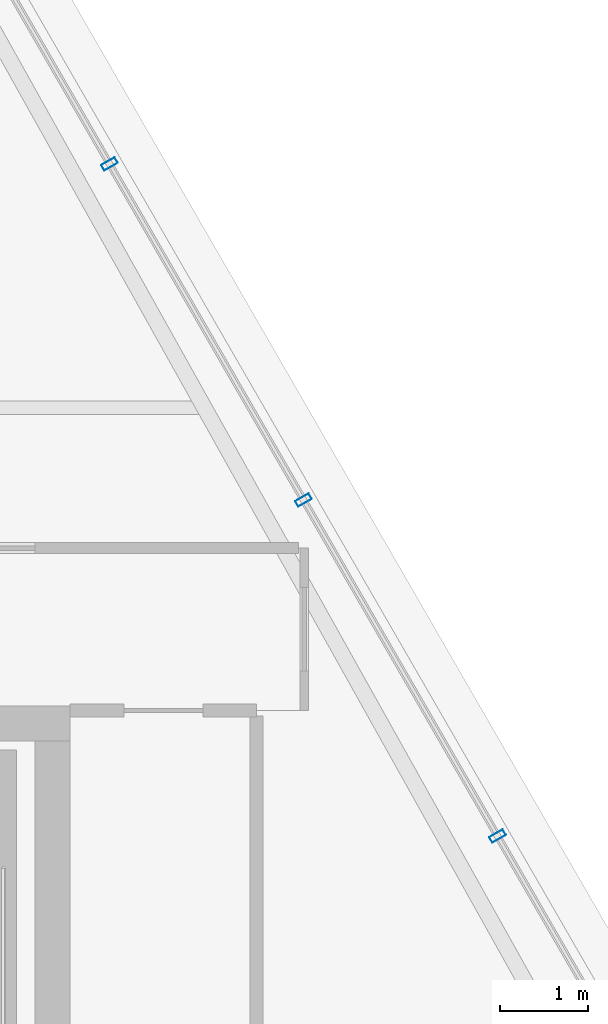
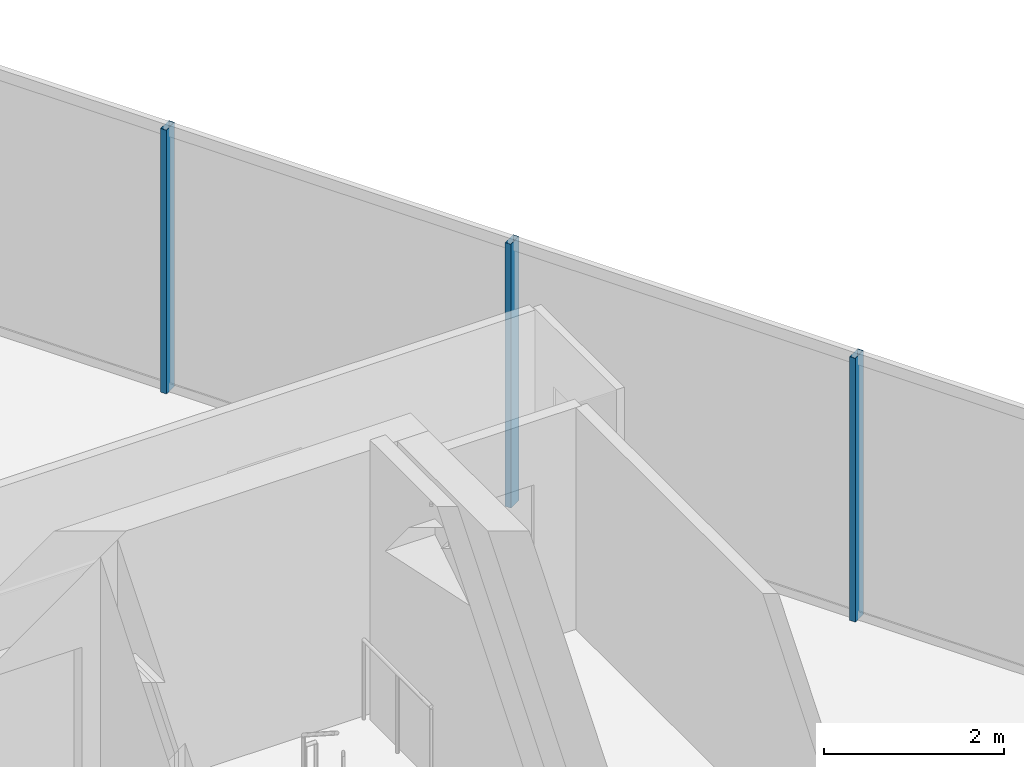
# One storey, part 24 of 34: 3 members, 1 element without a shape of its own.
"""IFC4 building model written with IfcOpenShell, lengths in metres."""

from ifc_helpers import new_model, si_unit, direction, frame, origin, origin_2d, place, context, subcontext, project, spatial, hollow_rectangle, extrude, material, layer, layer_set, material_profile, profile_set, type_object, element, aggregate, save


model = new_model("IFC4")

# Units and contexts
model_context = context("Model", 3, precision=1e-05, world=origin(), true_north=direction((0.0, 1.0)))
body_context = subcontext(model_context, "Body", "Model", "MODEL_VIEW")
ifc_project = project(units=[si_unit("LENGTHUNIT", "METRE"), si_unit("AREAUNIT", "SQUARE_METRE"), si_unit("VOLUMEUNIT", "CUBIC_METRE"), si_unit("PLANEANGLEUNIT", "RADIAN"), si_unit("MASSUNIT", "GRAM", prefix="KILO")], contexts=[model_context])

# Site, building, storey
site_placement = place(None, origin())
site = spatial("IfcSite", under=ifc_project, at=site_placement, CompositionType="ELEMENT")
building_placement = place(site_placement, origin())
building = spatial("IfcBuilding", under=site, at=building_placement, Name="Ndaravel Arena Tower", CompositionType="ELEMENT")
storey_placement = place(building_placement, frame((0.0, 0.0, 263.60009765625)))
storey = spatial("IfcBuildingStorey", under=building, at=storey_placement, Name="L64", CompositionType="ELEMENT", Elevation=263.60009765625)

# Curtain wall, members
ifc_material_1 = material(Name="Aluminium", Category="aluminium")
ifc_layer = layer(ifc_material_1, 0.179931640625)
ifc_layer_set = layer_set([ifc_layer], Name="Aluminium")
curtain_wall_type = type_object("IfcCurtainWallType", Name="CW-SYS-03", PredefinedType="NOTDEFINED", material=ifc_layer_set)
curtain_wall_placement = place(storey_placement, origin())
curtain_wall = element("IfcCurtainWall", 1, at=curtain_wall_placement, inside=storey, type_object=curtain_wall_type, Name="L64 Faceted Crystal Curtain Wall CW-L64-E03", PredefinedType="NOTDEFINED")
ifc_material_2 = material(Name="Aluminium", Category="aluminium")
ifc_material_profile = material_profile(ifc_material_2, hollow_rectangle(XDim=0.074951171875, YDim=0.179931640625, WallThickness=0.00390625, at=origin_2d()), Name="CW MULLION 75x180x4")
ifc_profile_set = profile_set([ifc_material_profile], Name="Aluminium")
member_type = type_object("IfcMemberType", Name="MEM-CW-MUL180", PredefinedType="MULLION", material=ifc_profile_set)
member_1_placement = place(storey_placement, frame((62.419921875, 13.71875, 0.0), z_axis=(0.0, 0.0, 1.0), x_axis=(-0.5, 0.866025403784, 0.0)))
member_1 = element("IfcMember", 2, at=member_1_placement, type_object=member_type, Name="CW-L64-E03 Mullion 01", PredefinedType="MULLION", context=body_context, shape_type="SweptSolid", body=[
    extrude(hollow_rectangle(XDim=0.074951171875, YDim=0.179931640625, WallThickness=0.00390625, at=origin_2d()), origin(), (0.0, 0.0, 1.0), 3.579833984375),
])
member_2_placement = place(storey_placement, frame((60.208740234375, 17.548583984375, 0.0), z_axis=(0.0, 0.0, 1.0), x_axis=(-0.5, 0.866025403784, 0.0)))
member_2 = element("IfcMember", 3, at=member_2_placement, type_object=member_type, Name="CW-L64-E03 Mullion 02", PredefinedType="MULLION", context=body_context, shape_type="SweptSolid", body=[
    extrude(hollow_rectangle(XDim=0.074951171875, YDim=0.179931640625, WallThickness=0.00390625, at=origin_2d()), origin(), (0.0, 0.0, 1.0), 3.579833984375),
])
member_3_placement = place(storey_placement, frame((57.99755859375, 21.378662109375, 0.0), z_axis=(0.0, 0.0, 1.0), x_axis=(-0.5, 0.866025403784, 0.0)))
member_3 = element("IfcMember", 4, at=member_3_placement, type_object=member_type, Name="CW-L64-E03 Mullion 03", PredefinedType="MULLION", context=body_context, shape_type="SweptSolid", body=[
    extrude(hollow_rectangle(XDim=0.074951171875, YDim=0.179931640625, WallThickness=0.00390625, at=origin_2d()), origin(), (0.0, 0.0, 1.0), 3.579833984375),
])
aggregate(curtain_wall, [member_1, member_2, member_3])

save(model, "model.ifc")
